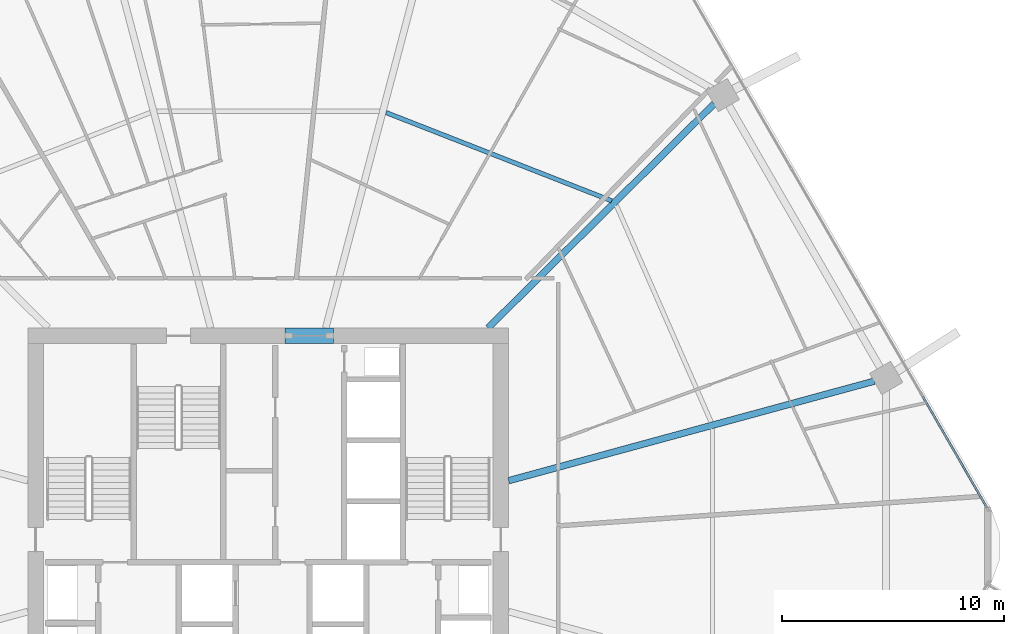
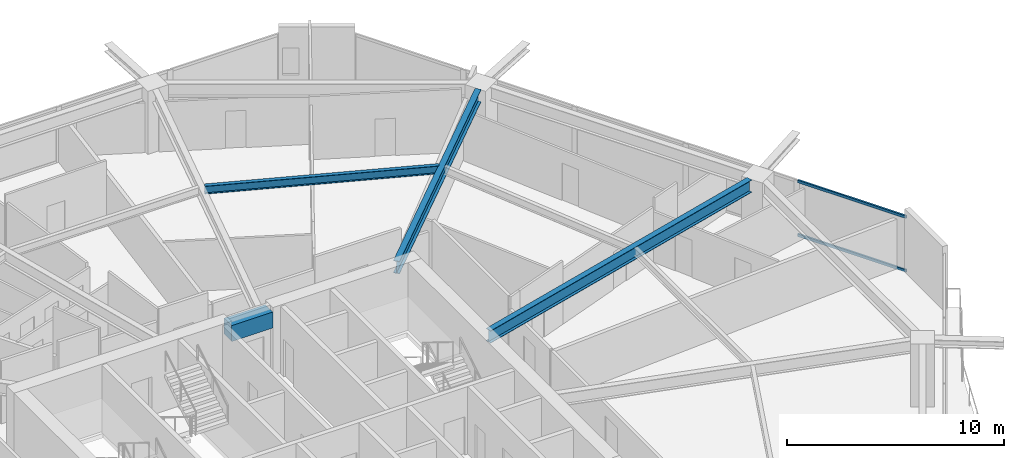
# One storey, part 17 of 33: 4 beams, 2 members, 1 element without a shape of its own.
"""IFC4 building model written with IfcOpenShell, lengths in metres."""

from ifc_helpers import new_model, si_unit, direction, frame, origin, origin_2d, place, context, subcontext, project, spatial, rectangle, hollow_rectangle, i_section, extrude, material, material_profile, profile_set, type_object, element, aggregate, save


model = new_model("IFC4")

# Units and contexts
model_context = context("Model", 3, precision=1e-05, world=origin(), true_north=direction((0.0, 1.0)))
body_context = subcontext(model_context, "Body", "Model", "MODEL_VIEW")
ifc_project = project(units=[si_unit("LENGTHUNIT", "METRE"), si_unit("AREAUNIT", "SQUARE_METRE"), si_unit("VOLUMEUNIT", "CUBIC_METRE"), si_unit("PLANEANGLEUNIT", "RADIAN"), si_unit("MASSUNIT", "GRAM", prefix="KILO")], contexts=[model_context])

# Site, building, storey
site_placement = place(None, origin())
site = spatial("IfcSite", under=ifc_project, at=site_placement, CompositionType="ELEMENT")
building_placement = place(site_placement, origin())
building = spatial("IfcBuilding", under=site, at=building_placement, Name="Zuhravey Tower", CompositionType="ELEMENT")
storey_placement = place(building_placement, frame((0.0, 0.0, 96.199951171875)))
storey = spatial("IfcBuildingStorey", under=building, at=storey_placement, Name="L23", CompositionType="ELEMENT", Elevation=96.199951171875)

# Beam
ifc_material_1 = material(Name="Concrete C60/75", Category="concrete")
ifc_material_profile_1 = material_profile(ifc_material_1, rectangle(XDim=0.699951171875, YDim=0.89990234375, at=origin_2d()), Name="RC-700x900")
ifc_profile_set_1 = profile_set([ifc_material_profile_1], Name="Concrete C60/75")
beam_type_1 = type_object("IfcBeamType", Name="Core Coupling Beam RC700x900", PredefinedType="LINTEL", material=ifc_profile_set_1)
beam_1_placement = place(storey_placement, frame((36.751953125, 41.5, 3.10009765625), z_axis=(1.0, 0.0, 0.0), x_axis=(0.0, 1.0, 0.0)))
element("IfcBeam", 1, at=beam_1_placement, inside=storey, type_object=beam_type_1, Name="L23 CB1 BM-L23-CB-N", PredefinedType="LINTEL", context=body_context, shape_type="SweptSolid", body=[
    extrude(rectangle(XDim=0.699951171875, YDim=0.89990234375, at=origin_2d()), origin(), (0.0, 0.0, 1.0), 2.196044921875),
])

# Curtain wall, members
ifc_material_2 = material(Name="Thermally broken anodised aluminium", Category="aluminium")
curtain_wall_type = type_object("IfcCurtainWallType", Name="Zone 1-2 Residential Curtain Wall CW3", PredefinedType="NOTDEFINED", material=ifc_material_2)
curtain_wall_placement = place(storey_placement, origin())
curtain_wall = element("IfcCurtainWall", 2, at=curtain_wall_placement, inside=storey, type_object=curtain_wall_type, Name="L23 CW3 CW-L23-F1-1", PredefinedType="NOTDEFINED")
ifc_material_3 = material(Name="Anodised aluminium", Category="aluminium")
ifc_material_profile_2 = material_profile(ifc_material_3, hollow_rectangle(XDim=0.090087890625, YDim=0.14990234375, WallThickness=0.0048828125, at=origin_2d()), Name="ALU-RHS-90x150x5")
ifc_profile_set_2 = profile_set([ifc_material_profile_2], Name="Anodised aluminium")
member_type = type_object("IfcMemberType", Name="Curtain-Wall Transom 90x150", PredefinedType="USERDEFINED", material=ifc_profile_set_2)
member_1_placement = place(storey_placement, frame((65.541015625, 38.750244140625, 0.045166015625), z_axis=(0.500024450573, -0.866011286779, 0.0), x_axis=(0.866011286779, 0.500024450573, 0.0)))
member_1 = element("IfcMember", 3, at=member_1_placement, type_object=member_type, Name="CW3 transom 5.1", ObjectType="TRANSOM", PredefinedType="USERDEFINED", context=body_context, shape_type="SweptSolid", body=[
    extrude(hollow_rectangle(XDim=0.090087890625, YDim=0.14990234375, WallThickness=0.0048828125, at=origin_2d()), origin(), (0.0, 0.0, 1.0), 5.784912109375),
])
member_2_placement = place(storey_placement, frame((65.541015625, 38.750244140625, 3.0771484375), z_axis=(0.500024450573, -0.866011286779, 0.0), x_axis=(0.866011286779, 0.500024450573, 0.0)))
member_2 = element("IfcMember", 4, at=member_2_placement, type_object=member_type, Name="CW3 transom 5.2", ObjectType="TRANSOM", PredefinedType="USERDEFINED", context=body_context, shape_type="SweptSolid", body=[
    extrude(hollow_rectangle(XDim=0.090087890625, YDim=0.14990234375, WallThickness=0.0048828125, at=origin_2d()), origin(), (0.0, 0.0, 1.0), 5.784912109375),
])
aggregate(curtain_wall, [member_1, member_2])

# Beams
ifc_material_4 = material(Name="Steel SM355", Category="steel")
ifc_material_profile_3 = material_profile(ifc_material_4, i_section(OverallWidth=0.300048828125, OverallDepth=0.699951171875, WebThickness=0.012939453125, FlangeThickness=0.02392578125, at=origin_2d()), Name="H-700x300x13x24")
ifc_profile_set_3 = profile_set([ifc_material_profile_3], Name="Steel SM355")
beam_type_2 = type_object("IfcBeamType", Name="Radial Primary Girder H700x300", PredefinedType="BEAM", material=ifc_profile_set_3)
beam_2_placement = place(storey_placement, frame((46.85302734375, 34.954345703125, 3.199951171875), z_axis=(0.964893166225, 0.262642680791, 0.0), x_axis=(-0.262642680791, 0.964893166225, 0.0)))
element("IfcBeam", 5, at=beam_2_placement, inside=storey, type_object=beam_type_2, Name="L23 RG1 BM-L23-RAD-01", PredefinedType="BEAM", context=body_context, shape_type="SweptSolid", body=[
    extrude(i_section(OverallWidth=0.300048828125, OverallDepth=0.699951171875, WebThickness=0.012939453125, FlangeThickness=0.02392578125, at=origin_2d()), origin(), (0.0, 0.0, 1.0), 17.102783203125),
])
beam_3_placement = place(storey_placement, frame((45.931396484375, 41.85302734375, 3.199951171875), z_axis=(0.709906230344, 0.704296204816, 0.0), x_axis=(-0.704296204816, 0.709906230344, 0.0)))
element("IfcBeam", 6, at=beam_3_placement, inside=storey, type_object=beam_type_2, Name="L23 RG1 BM-L23-RAD-02", PredefinedType="BEAM", context=body_context, shape_type="SweptSolid", body=[
    extrude(i_section(OverallWidth=0.300048828125, OverallDepth=0.699951171875, WebThickness=0.012939453125, FlangeThickness=0.02392578125, at=origin_2d()), origin(), (0.0, 0.0, 1.0), 14.361083984375),
])
ifc_material_profile_4 = material_profile(ifc_material_4, i_section(OverallWidth=0.199951171875, OverallDepth=0.449951171875, WebThickness=0.009033203125, FlangeThickness=0.013916015625, at=origin_2d()), Name="H-450x200x9x14")
ifc_profile_set_4 = profile_set([ifc_material_profile_4], Name="Steel SM355")
beam_type_3 = type_object("IfcBeamType", Name="Secondary Floor Joist H450x200", PredefinedType="JOIST", material=ifc_profile_set_4)
beam_4_placement = place(storey_placement, frame((51.50537109375, 47.581298828125, 3.324951171875), z_axis=(-0.931216764731, 0.364465824302, 0.0), x_axis=(-0.364465824302, -0.931216764731, 0.0)))
element("IfcBeam", 7, at=beam_4_placement, inside=storey, type_object=beam_type_3, Name="L23 SJ1 BM-L23-SJ-02-1", PredefinedType="JOIST", context=body_context, shape_type="SweptSolid", body=[
    extrude(i_section(OverallWidth=0.199951171875, OverallDepth=0.449951171875, WebThickness=0.009033203125, FlangeThickness=0.013916015625, at=origin_2d()), origin(), (0.0, 0.0, 1.0), 10.939453125),
])

save(model, "model.ifc")
